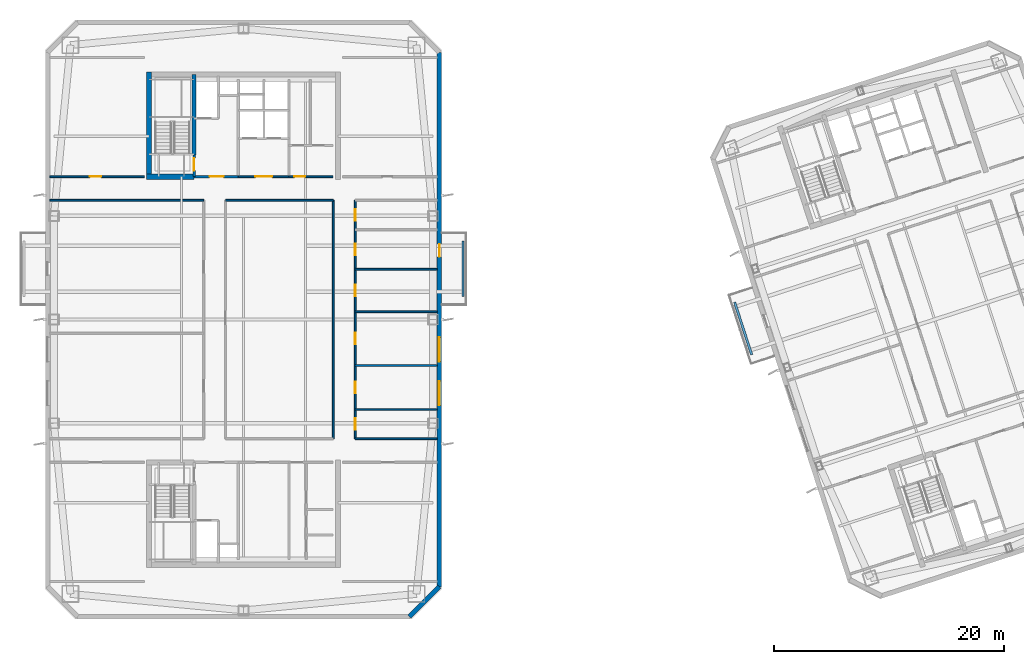
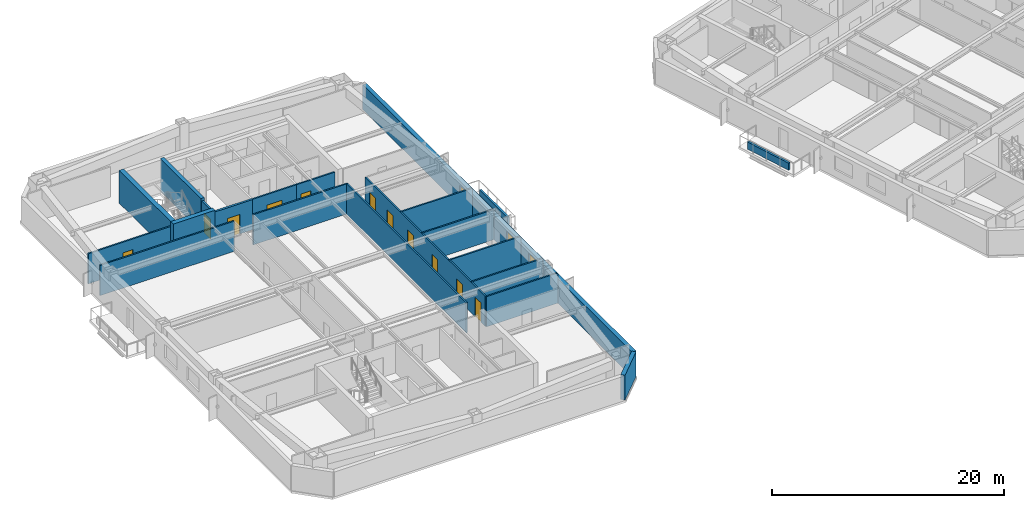
# One storey, part 6 of 17: 21 walls, 12 doors, 2 windows, 14 openings.
"""IFC4 building model written with IfcOpenShell, lengths in metres."""

from ifc_helpers import new_model, si_unit, direction, frame, frame_2d, origin, place, context, subcontext, project, spatial, rectangle, extrude, material, layer, layer_set, type_object, element, fill, save


model = new_model("IFC4")

# Units and contexts
model_context = context("Model", 3, precision=1e-05, world=origin(), true_north=direction((0.0, 1.0)))
body_context = subcontext(model_context, "Body", "Model", "MODEL_VIEW")
ifc_project = project(units=[si_unit("LENGTHUNIT", "METRE"), si_unit("AREAUNIT", "SQUARE_METRE"), si_unit("VOLUMEUNIT", "CUBIC_METRE"), si_unit("PLANEANGLEUNIT", "RADIAN"), si_unit("MASSUNIT", "GRAM", prefix="KILO")], contexts=[model_context])

# Site, building, storey
site_placement = place(None, origin())
site = spatial("IfcSite", under=ifc_project, at=site_placement, CompositionType="ELEMENT")
building_placement = place(site_placement, origin())
building = spatial("IfcBuilding", under=site, at=building_placement, Name="Qiaolan Cultural Towers", CompositionType="ELEMENT")
storey_placement = place(building_placement, frame((0.0, 0.0, 205.85009765625)))
storey = spatial("IfcBuildingStorey", under=building, at=storey_placement, Name="L55", CompositionType="ELEMENT", Elevation=205.85009765625)

# Walls
ifc_material_1 = material(Name="Concrete C50", Category="concrete")
ifc_layer_1 = layer(ifc_material_1, 0.35009765625)
ifc_layer_set_1 = layer_set([ifc_layer_1], Name="Concrete C50")
wall_type_1 = type_object("IfcWallType", Name="WL-CORE-350", PredefinedType="SHEAR", material=ifc_layer_set_1)
wall_1_placement = place(storey_placement, frame((25.719970703125, 48.300048828125, 0.0), z_axis=(0.0, 0.0, 1.0), x_axis=(0.0, 1.0, 0.0)))
element("IfcWall", 1, at=wall_1_placement, inside=storey, type_object=wall_type_1, Name="L55 T1-CN Stair Core Dividing Web", PredefinedType="SHEAR", context=body_context, shape_type="SweptSolid", body=[
    extrude(rectangle(XDim=6.97998046875, YDim=0.35009765625, at=frame_2d((3.489990234375, 0.0))), origin(), (0.0, 0.0, 1.0), 3.449951171875),
])
ifc_material_2 = material(Name="Concrete C50", Category="concrete")
ifc_layer_2 = layer(ifc_material_2, 0.449951171875)
ifc_layer_set_2 = layer_set([ifc_layer_2], Name="Concrete C50")
wall_type_2 = type_object("IfcWallType", Name="WL-CORE-450", PredefinedType="SHEAR", material=ifc_layer_set_2)
wall_2_placement = place(storey_placement, frame((21.800048828125, 46.175048828125, 0.0), z_axis=(0.0, 0.0, 1.0), x_axis=(0.0, 1.0, 0.0)))
element("IfcWall", 2, at=wall_2_placement, inside=storey, type_object=wall_type_2, Name="L55 T1-CN West Core Shear Wall", PredefinedType="SHEAR", context=body_context, shape_type="SweptSolid", body=[
    extrude(rectangle(XDim=9.329833984375, YDim=0.449951171875, at=frame_2d((4.6650390625, 0.0))), origin(), (0.0, 0.0, 1.0), 3.449951171875),
])
wall_3_placement = place(storey_placement, frame((21.574951171875, 46.39990234375, 0.0), z_axis=(0.0, 0.0, 1.0), x_axis=(1.0, 0.0, 0.0)))
element("IfcWall", 3, at=wall_3_placement, inside=storey, type_object=wall_type_2, Name="L55 T1-CN Stair Front Shear Wall", PredefinedType="SHEAR", context=body_context, shape_type="SweptSolid", body=[
    extrude(rectangle(XDim=4.14501953125, YDim=0.449951171875, at=frame_2d((2.072509765625, 0.0))), origin(), (0.0, 0.0, 1.0), 3.449951171875),
])

# Wall, openings, door, windows
ifc_material_3 = material(Name="Precast Concrete C50 Honed Stone Pier", Category="masonry")
ifc_layer_3 = layer(ifc_material_3, 0.39990234375)
ifc_layer_set_3 = layer_set([ifc_layer_3], Name="Precast Concrete C50 Honed Stone Pier")
wall_type_3 = type_object("IfcWallType", Name="WL-EXT-PIER-400", PredefinedType="SOLIDWALL", material=ifc_layer_set_3)
wall_4_placement = place(storey_placement, frame((47.0, 57.199951171875, 0.0), z_axis=(0.0, 0.0, 1.0), x_axis=(0.0, -1.0, 0.0)))
wall_4 = element("IfcWall", 4, at=wall_4_placement, inside=storey, type_object=wall_type_3, Name="L55 West Tower Precast Pier Facade Wall F5", PredefinedType="SOLIDWALL", context=body_context, shape_type="SweptSolid", body=[
    extrude(rectangle(XDim=46.39990234375, YDim=0.39990234375, at=frame_2d((23.199951171875, 0.0))), origin(), (0.0, 0.0, 1.0), 2.60986328125),
])
opening_1_placement = place(wall_4_placement, frame((28.550048828125, 0.0, 0.75)))
opening_1 = element("IfcOpeningElement", 5, at=opening_1_placement, cuts=wall_4, Name="Opening W-05", PredefinedType="OPENING", context=body_context, shape_type="SweptSolid", body=[
    extrude(rectangle(XDim=2.10009765625, YDim=1.4599609375, at=frame_2d((1.050048828125, 0.72998046875))), frame((0.0, 0.2099609375, 0.0), z_axis=(0.0, -1.0, 0.0), x_axis=(1.0, 0.0, 0.0)), (0.0, 0.0, 1.0), 0.419921875),
])
opening_2_placement = place(wall_4_placement, frame((24.75, 0.0, 0.75)))
opening_2 = element("IfcOpeningElement", 6, at=opening_2_placement, cuts=wall_4, Name="Opening W-05", PredefinedType="OPENING", context=body_context, shape_type="SweptSolid", body=[
    extrude(rectangle(XDim=2.10009765625, YDim=1.4599609375, at=frame_2d((1.050048828125, 0.72998046875))), frame((0.0, 0.2099609375, 0.0), z_axis=(0.0, -1.0, 0.0), x_axis=(1.0, 0.0, 0.0)), (0.0, 0.0, 1.0), 0.419921875),
])
opening_3_placement = place(wall_4_placement, frame((16.66748046875, 0.0, 0.0)))
opening_3 = element("IfcOpeningElement", 7, at=opening_3_placement, cuts=wall_4, Name="Opening BD-01", PredefinedType="OPENING", context=body_context, shape_type="SweptSolid", body=[
    extrude(rectangle(XDim=1.10009765625, YDim=2.14990234375, at=frame_2d((0.550048828125, 1.074951171875))), frame((0.0, 0.2099609375, 0.0), z_axis=(0.0, -1.0, 0.0), x_axis=(1.0, 0.0, 0.0)), (0.0, 0.0, 1.0), 0.419921875),
])
ifc_material_4 = material(Name="Thermally Broken Aluminium Glazed Terrace Door", Category="aluminium")
door_type_1 = type_object("IfcDoorType", Name="DR-BAL-1100", OperationType="NOTDEFINED", PredefinedType="DOOR", material=ifc_material_4)
door_1_placement = place(opening_3_placement, origin())
door_1 = element("IfcDoor", 8, at=door_1_placement, inside=storey, type_object=door_type_1, Name="L55 T1 East Tree Balcony Door", OperationType="SINGLE_SWING_RIGHT", OverallHeight=2.14990234375, OverallWidth=1.10009765625, PredefinedType="DOOR", context=body_context, shape_type="SweptSolid", body=[
    extrude(rectangle(XDim=1.10009765625, YDim=2.14990234375, at=frame_2d((0.550048828125, 1.074951171875))), frame((0.0, 0.02490234375, 0.0), z_axis=(0.0, -1.0, 0.0), x_axis=(1.0, 0.0, 0.0)), (0.0, 0.0, 1.0), 0.050048828125),
])
fill(opening_3, door_1)
ifc_material_5 = material(Name="Thermally Broken Aluminium Triple Low-E Glazing", Category="aluminium")
window_type = type_object("IfcWindowType", Name="WN-CHIC-2100", PartitioningType="SINGLE_PANEL", PredefinedType="WINDOW", material=ifc_material_5)
window_1_placement = place(opening_1_placement, origin())
window_1 = element("IfcWindow", 9, at=window_1_placement, inside=storey, type_object=window_type, Name="L55 T1 E Chicago Bay Window 1", OverallHeight=1.4599609375, OverallWidth=2.10009765625, PartitioningType="TRIPLE_PANEL_VERTICAL", PredefinedType="WINDOW", context=body_context, shape_type="SweptSolid", body=[
    extrude(rectangle(XDim=2.10009765625, YDim=1.4599609375, at=frame_2d((1.050048828125, 0.72998046875))), frame((0.0, 0.030029296875, 0.0), z_axis=(0.0, -1.0, 0.0), x_axis=(1.0, 0.0, 0.0)), (0.0, 0.0, 1.0), 0.06005859375),
])
fill(opening_1, window_1)
window_2_placement = place(opening_2_placement, origin())
window_2 = element("IfcWindow", 10, at=window_2_placement, inside=storey, type_object=window_type, Name="L55 T1 E Chicago Bay Window 2", OverallHeight=1.4599609375, OverallWidth=2.10009765625, PartitioningType="TRIPLE_PANEL_VERTICAL", PredefinedType="WINDOW", context=body_context, shape_type="SweptSolid", body=[
    extrude(rectangle(XDim=2.10009765625, YDim=1.4599609375, at=frame_2d((1.050048828125, 0.72998046875))), frame((0.0, 0.030029296875, 0.0), z_axis=(0.0, -1.0, 0.0), x_axis=(1.0, 0.0, 0.0)), (0.0, 0.0, 1.0), 0.06005859375),
])
fill(opening_2, window_2)

# Wall
wall_5_placement = place(storey_placement, frame((47.0, 10.800048828125, 0.0), z_axis=(0.0, 0.0, 1.0), x_axis=(-0.707106781187, -0.707106781187, 0.0)))
element("IfcWall", 11, at=wall_5_placement, inside=storey, type_object=wall_type_3, Name="L55 West Tower Precast Pier Facade Wall F6", PredefinedType="SOLIDWALL", context=body_context, shape_type="SweptSolid", body=[
    extrude(rectangle(XDim=3.677001953125, YDim=0.39990234375, at=frame_2d((1.83837890625, 0.0))), origin(), (0.0, 0.0, 1.0), 2.60986328125),
])

# Wall, opening, door
ifc_material_6 = material(Name="Concrete C35 Fire Wall", Category="concrete")
ifc_layer_4 = layer(ifc_material_6, 0.199951171875)
ifc_layer_set_4 = layer_set([ifc_layer_4], Name="Concrete C35 Fire Wall")
wall_type_4 = type_object("IfcWallType", Name="WL-FIRE-200", PredefinedType="PARTITIONING", material=ifc_layer_set_4)
wall_6_placement = place(storey_placement, frame((25.719970703125, 46.39990234375, 0.0), z_axis=(0.0, 0.0, 1.0), x_axis=(0.0, 1.0, 0.0)))
wall_6 = element("IfcWall", 12, at=wall_6_placement, inside=storey, type_object=wall_type_4, Name="L55 T1-CN Smokeproof Stair Entry Wall", PredefinedType="PARTITIONING", context=body_context, shape_type="SweptSolid", body=[
    extrude(rectangle(XDim=1.900146484375, YDim=0.199951171875, at=frame_2d((0.9501953125, 0.0))), origin(), (0.0, 0.0, 1.0), 3.1748046875),
])
opening_4_placement = place(wall_6_placement, frame((0.52001953125, 0.0, 0.0)))
opening_4 = element("IfcOpeningElement", 13, at=opening_4_placement, cuts=wall_6, Name="Opening FD-04", PredefinedType="OPENING", context=body_context, shape_type="SweptSolid", body=[
    extrude(rectangle(XDim=1.10009765625, YDim=2.050048828125, at=frame_2d((0.550048828125, 1.02490234375))), frame((0.0, 0.10986328125, 0.0), z_axis=(0.0, -1.0, 0.0), x_axis=(1.0, 0.0, 0.0)), (0.0, 0.0, 1.0), 0.219970703125),
])
ifc_material_7 = material(Name="Galvanized Steel Command Fire Door", Category="steel")
door_type_2 = type_object("IfcDoorType", Name="DR-FD90-1100", OperationType="NOTDEFINED", PredefinedType="DOOR", material=ifc_material_7)
door_2_placement = place(opening_4_placement, origin())
door_2 = element("IfcDoor", 14, at=door_2_placement, inside=storey, type_object=door_type_2, Name="L55 ST-W2 Smokeproof Stair Fire Door", OperationType="SINGLE_SWING_LEFT", OverallHeight=2.050048828125, OverallWidth=1.10009765625, PredefinedType="DOOR", context=body_context, shape_type="SweptSolid", body=[
    extrude(rectangle(XDim=1.10009765625, YDim=2.050048828125, at=frame_2d((0.550048828125, 1.02490234375))), frame((0.0, 0.02490234375, 0.0), z_axis=(0.0, -1.0, 0.0), x_axis=(1.0, 0.0, 0.0)), (0.0, 0.0, 1.0), 0.050048828125),
])
fill(opening_4, door_2)

wall_7_placement = place(storey_placement, frame((25.719970703125, 46.39990234375, 0.0), z_axis=(0.0, 0.0, 1.0), x_axis=(1.0, 0.0, 0.0)))
wall_7 = element("IfcWall", 15, at=wall_7_placement, inside=storey, type_object=wall_type_4, Name="L55 T1-CN Firefighting Lobby Front Wall", PredefinedType="PARTITIONING", context=body_context, shape_type="SweptSolid", body=[
    extrude(rectangle(XDim=3.830078125, YDim=0.199951171875, at=frame_2d((1.9150390625, 0.0))), origin(), (0.0, 0.0, 1.0), 3.1748046875),
])
opening_5_placement = place(wall_7_placement, frame((1.35009765625, 0.0, 0.0)))
opening_5 = element("IfcOpeningElement", 16, at=opening_5_placement, cuts=wall_7, Name="Opening FD-03", PredefinedType="OPENING", context=body_context, shape_type="SweptSolid", body=[
    extrude(rectangle(XDim=1.199951171875, YDim=2.050048828125, at=frame_2d((0.60009765625, 1.02490234375))), frame((0.0, 0.10986328125, 0.0), z_axis=(0.0, -1.0, 0.0), x_axis=(1.0, 0.0, 0.0)), (0.0, 0.0, 1.0), 0.219970703125),
])
ifc_material_8 = material(Name="Galvanized Steel Smokeproof Lobby Fire Door", Category="steel")
door_type_3 = type_object("IfcDoorType", Name="DR-FD90-1200", OperationType="NOTDEFINED", PredefinedType="DOOR", material=ifc_material_8)
door_3_placement = place(opening_5_placement, origin())
door_3 = element("IfcDoor", 17, at=door_3_placement, inside=storey, type_object=door_type_3, Name="L55 FFL-W2 Firefighting Lobby Fire Door", OperationType="SINGLE_SWING_LEFT", OverallHeight=2.050048828125, OverallWidth=1.199951171875, PredefinedType="DOOR", context=body_context, shape_type="SweptSolid", body=[
    extrude(rectangle(XDim=1.199951171875, YDim=2.050048828125, at=frame_2d((0.60009765625, 1.02490234375))), frame((0.0, 0.02490234375, 0.0), z_axis=(0.0, -1.0, 0.0), x_axis=(1.0, 0.0, 0.0)), (0.0, 0.0, 1.0), 0.050048828125),
])
fill(opening_5, door_3)

ifc_material_9 = material(Name="Autoclaved Aerated Concrete Block B06", Category="concrete")
ifc_layer_5 = layer(ifc_material_9, 0.14990234375)
ifc_layer_set_5 = layer_set([ifc_layer_5], Name="Autoclaved Aerated Concrete Block B06")
wall_type_5 = type_object("IfcWallType", Name="WL-PART-150", PredefinedType="PARTITIONING", material=ifc_layer_set_5)
wall_8_placement = place(storey_placement, frame((29.550048828125, 46.39990234375, 0.0), z_axis=(0.0, 0.0, 1.0), x_axis=(1.0, 0.0, 0.0)))
wall_8 = element("IfcWall", 18, at=wall_8_placement, inside=storey, type_object=wall_type_5, Name="L55 T1-CN Passenger Lift Lobby Front Wall", PredefinedType="PARTITIONING", context=body_context, shape_type="SweptSolid", body=[
    extrude(rectangle(XDim=4.39990234375, YDim=0.14990234375, at=frame_2d((2.199951171875, 0.0))), origin(), (0.0, 0.0, 1.0), 3.1748046875),
])
opening_6_placement = place(wall_8_placement, frame((1.449951171875, 0.0, 0.0)))
opening_6 = element("IfcOpeningElement", 19, at=opening_6_placement, cuts=wall_8, Name="Opening FD-05", PredefinedType="OPENING", context=body_context, shape_type="SweptSolid", body=[
    extrude(rectangle(XDim=1.5, YDim=2.050048828125, at=frame_2d((0.75, 1.02490234375))), frame((0.0, 0.0849609375, 0.0), z_axis=(0.0, -1.0, 0.0), x_axis=(1.0, 0.0, 0.0)), (0.0, 0.0, 1.0), 0.169921875),
])
ifc_material_10 = material(Name="Painted Steel Lift Lobby Fire Door", Category="steel")
door_type_4 = type_object("IfcDoorType", Name="DR-FD60-1500", OperationType="NOTDEFINED", PredefinedType="DOOR", material=ifc_material_10)
door_4_placement = place(opening_6_placement, origin())
door_4 = element("IfcDoor", 20, at=door_4_placement, inside=storey, type_object=door_type_4, Name="L55 Passenger Lift Lobby Entrance", OperationType="SINGLE_SWING_LEFT", OverallHeight=2.050048828125, OverallWidth=1.5, PredefinedType="DOOR", context=body_context, shape_type="SweptSolid", body=[
    extrude(rectangle(XDim=1.5, YDim=2.050048828125, at=frame_2d((0.75, 1.02490234375))), frame((0.0, 0.02490234375, 0.0), z_axis=(0.0, -1.0, 0.0), x_axis=(1.0, 0.0, 0.0)), (0.0, 0.0, 1.0), 0.050048828125),
])
fill(opening_6, door_4)

wall_9_placement = place(storey_placement, frame((33.949951171875, 46.39990234375, 0.0), z_axis=(0.0, 0.0, 1.0), x_axis=(1.0, 0.0, 0.0)))
wall_9 = element("IfcWall", 21, at=wall_9_placement, inside=storey, type_object=wall_type_5, Name="L55 T1-CN Sanitary Core Front Wall", PredefinedType="PARTITIONING", context=body_context, shape_type="SweptSolid", body=[
    extrude(rectangle(XDim=3.800048828125, YDim=0.14990234375, at=frame_2d((1.89990234375, 0.0))), origin(), (0.0, 0.0, 1.0), 3.1748046875),
])
opening_7_placement = place(wall_9_placement, frame((0.449951171875, 0.0, 0.0)))
opening_7 = element("IfcOpeningElement", 22, at=opening_7_placement, cuts=wall_9, Name="Opening ID-05", PredefinedType="OPENING", context=body_context, shape_type="SweptSolid", body=[
    extrude(rectangle(XDim=0.949951171875, YDim=2.050048828125, at=frame_2d((0.47509765625, 1.02490234375))), frame((0.0, 0.0849609375, 0.0), z_axis=(0.0, -1.0, 0.0), x_axis=(1.0, 0.0, 0.0)), (0.0, 0.0, 1.0), 0.169921875),
])
ifc_material_11 = material(Name="Fire-Rated Laminate Accessible Core Door", Category="timber")
door_type_5 = type_object("IfcDoorType", Name="DR-INT-950", OperationType="NOTDEFINED", PredefinedType="DOOR", material=ifc_material_11)
door_5_placement = place(opening_7_placement, origin())
door_5 = element("IfcDoor", 23, at=door_5_placement, inside=storey, type_object=door_type_5, Name="L55 Sanitary Vestibule Door", OperationType="SINGLE_SWING_LEFT", OverallHeight=2.050048828125, OverallWidth=0.949951171875, PredefinedType="DOOR", context=body_context, shape_type="SweptSolid", body=[
    extrude(rectangle(XDim=0.949951171875, YDim=2.050048828125, at=frame_2d((0.47509765625, 1.02490234375))), frame((0.0, 0.02490234375, 0.0), z_axis=(0.0, -1.0, 0.0), x_axis=(1.0, 0.0, 0.0)), (0.0, 0.0, 1.0), 0.050048828125),
])
fill(opening_7, door_5)

wall_10_placement = place(storey_placement, frame((13.199951171875, 46.39990234375, 0.0), z_axis=(0.0, 0.0, 1.0), x_axis=(1.0, 0.0, 0.0)))
wall_10 = element("IfcWall", 24, at=wall_10_placement, inside=storey, type_object=wall_type_5, Name="L55 T1 Flank Front FLK-NW", PredefinedType="PARTITIONING", context=body_context, shape_type="SweptSolid", body=[
    extrude(rectangle(XDim=8.199951171875, YDim=0.14990234375, at=frame_2d((4.10009765625, 0.0))), origin(), (0.0, 0.0, 1.0), 3.1748046875),
])
opening_8_placement = place(wall_10_placement, frame((3.444091796875, 0.0, 0.0)))
opening_8 = element("IfcOpeningElement", 25, at=opening_8_placement, cuts=wall_10, Name="Opening ID-04", PredefinedType="OPENING", context=body_context, shape_type="SweptSolid", body=[
    extrude(rectangle(XDim=1.0, YDim=2.050048828125, at=frame_2d((0.5, 1.02490234375))), frame((0.0, 0.0849609375, 0.0), z_axis=(0.0, -1.0, 0.0), x_axis=(1.0, 0.0, 0.0)), (0.0, 0.0, 1.0), 0.169921875),
])
ifc_material_12 = material(Name="Oak Veneer Acoustic Office Door", Category="timber")
door_type_6 = type_object("IfcDoorType", Name="DR-INT-1000", OperationType="NOTDEFINED", PredefinedType="DOOR", material=ifc_material_12)
door_6_placement = place(opening_8_placement, origin())
door_6 = element("IfcDoor", 26, at=door_6_placement, inside=storey, type_object=door_type_6, Name="L55 T1 Corner Studio Door", OperationType="SINGLE_SWING_LEFT", OverallHeight=2.050048828125, OverallWidth=1.0, PredefinedType="DOOR", context=body_context, shape_type="SweptSolid", body=[
    extrude(rectangle(XDim=1.0, YDim=2.050048828125, at=frame_2d((0.5, 1.02490234375))), frame((0.0, 0.02490234375, 0.0), z_axis=(0.0, -1.0, 0.0), x_axis=(1.0, 0.0, 0.0)), (0.0, 0.0, 1.0), 0.050048828125),
])
fill(opening_8, door_6)

# Walls
wall_11_placement = place(storey_placement, frame((39.699951171875, 23.64990234375, 0.0), z_axis=(0.0, 0.0, 1.0), x_axis=(1.0, 0.0, 0.0)))
element("IfcWall", 27, at=wall_11_placement, inside=storey, type_object=wall_type_5, Name="L55 T1 Interior Wall", PredefinedType="PARTITIONING", context=body_context, shape_type="SweptSolid", body=[
    extrude(rectangle(XDim=7.10009765625, YDim=0.14990234375, at=frame_2d((3.550048828125, 0.0))), origin(), (0.0, 0.0, 1.0), 3.1748046875),
])
wall_12_placement = place(storey_placement, frame((13.199951171875, 44.35009765625, 0.0), z_axis=(0.0, 0.0, 1.0), x_axis=(1.0, 0.0, 0.0)))
element("IfcWall", 28, at=wall_12_placement, inside=storey, type_object=wall_type_5, Name="L55 T1 Interior Wall", PredefinedType="PARTITIONING", context=body_context, shape_type="SweptSolid", body=[
    extrude(rectangle(XDim=13.35009765625, YDim=0.14990234375, at=frame_2d((6.675048828125, 0.0))), origin(), (0.0, 0.0, 1.0), 3.1748046875),
])
wall_13_placement = place(storey_placement, frame((28.449951171875, 44.35009765625, 0.0), z_axis=(0.0, 0.0, 1.0), x_axis=(1.0, 0.0, 0.0)))
element("IfcWall", 29, at=wall_13_placement, inside=storey, type_object=wall_type_5, Name="L55 T1 Interior Wall", PredefinedType="PARTITIONING", context=body_context, shape_type="SweptSolid", body=[
    extrude(rectangle(XDim=9.35009765625, YDim=0.14990234375, at=frame_2d((4.675048828125, 0.0))), origin(), (0.0, 0.0, 1.0), 3.1748046875),
])
wall_14_placement = place(storey_placement, frame((37.800048828125, 23.64990234375, 0.0), z_axis=(0.0, 0.0, 1.0), x_axis=(0.0, 1.0, 0.0)))
element("IfcWall", 30, at=wall_14_placement, inside=storey, type_object=wall_type_5, Name="L55 T1 Interior Wall", PredefinedType="PARTITIONING", context=body_context, shape_type="SweptSolid", body=[
    extrude(rectangle(XDim=20.7001953125, YDim=0.14990234375, at=frame_2d((10.35009765625, 0.0))), origin(), (0.0, 0.0, 1.0), 3.1748046875),
])

# Wall, openings, doors
wall_15_placement = place(storey_placement, frame((39.699951171875, 23.64990234375, 0.0), z_axis=(0.0, 0.0, 1.0), x_axis=(0.0, 1.0, 0.0)))
wall_15 = element("IfcWall", 31, at=wall_15_placement, inside=storey, type_object=wall_type_5, Name="L55 T1 Interior Wall", PredefinedType="PARTITIONING", context=body_context, shape_type="SweptSolid", body=[
    extrude(rectangle(XDim=20.7001953125, YDim=0.14990234375, at=frame_2d((10.35009765625, 0.0))), origin(), (0.0, 0.0, 1.0), 3.1748046875),
])
opening_9_placement = place(wall_15_placement, frame((0.77490234375, 0.0, 0.0)))
opening_9 = element("IfcOpeningElement", 32, at=opening_9_placement, cuts=wall_15, Name="Opening ID-04", PredefinedType="OPENING", context=body_context, shape_type="SweptSolid", body=[
    extrude(rectangle(XDim=1.0, YDim=2.050048828125, at=frame_2d((0.5, 1.02490234375))), frame((0.0, 0.0849609375, 0.0), z_axis=(0.0, -1.0, 0.0), x_axis=(1.0, 0.0, 0.0)), (0.0, 0.0, 1.0), 0.169921875),
])
opening_10_placement = place(wall_15_placement, frame((3.949951171875, 0.0, 0.0)))
opening_10 = element("IfcOpeningElement", 33, at=opening_10_placement, cuts=wall_15, Name="Opening ID-04", PredefinedType="OPENING", context=body_context, shape_type="SweptSolid", body=[
    extrude(rectangle(XDim=1.0, YDim=2.050048828125, at=frame_2d((0.5, 1.02490234375))), frame((0.0, 0.0849609375, 0.0), z_axis=(0.0, -1.0, 0.0), x_axis=(1.0, 0.0, 0.0)), (0.0, 0.0, 1.0), 0.169921875),
])
opening_11_placement = place(wall_15_placement, frame((8.18994140625, 0.0, 0.0)))
opening_11 = element("IfcOpeningElement", 34, at=opening_11_placement, cuts=wall_15, Name="Opening ID-04", PredefinedType="OPENING", context=body_context, shape_type="SweptSolid", body=[
    extrude(rectangle(XDim=1.0, YDim=2.050048828125, at=frame_2d((0.5, 1.02490234375))), frame((0.0, 0.0849609375, 0.0), z_axis=(0.0, -1.0, 0.0), x_axis=(1.0, 0.0, 0.0)), (0.0, 0.0, 1.0), 0.169921875),
])
opening_12_placement = place(wall_15_placement, frame((12.37255859375, 0.0, 0.0)))
opening_12 = element("IfcOpeningElement", 35, at=opening_12_placement, cuts=wall_15, Name="Opening ID-04", PredefinedType="OPENING", context=body_context, shape_type="SweptSolid", body=[
    extrude(rectangle(XDim=1.0, YDim=2.050048828125, at=frame_2d((0.5, 1.02490234375))), frame((0.0, 0.0849609375, 0.0), z_axis=(0.0, -1.0, 0.0), x_axis=(1.0, 0.0, 0.0)), (0.0, 0.0, 1.0), 0.169921875),
])
opening_13_placement = place(wall_15_placement, frame((15.9326171875, 0.0, 0.0)))
opening_13 = element("IfcOpeningElement", 36, at=opening_13_placement, cuts=wall_15, Name="Opening ID-04", PredefinedType="OPENING", context=body_context, shape_type="SweptSolid", body=[
    extrude(rectangle(XDim=1.0, YDim=2.050048828125, at=frame_2d((0.5, 1.02490234375))), frame((0.0, 0.0849609375, 0.0), z_axis=(0.0, -1.0, 0.0), x_axis=(1.0, 0.0, 0.0)), (0.0, 0.0, 1.0), 0.169921875),
])
opening_14_placement = place(wall_15_placement, frame((18.925048828125, 0.0, 0.0)))
opening_14 = element("IfcOpeningElement", 37, at=opening_14_placement, cuts=wall_15, Name="Opening ID-04", PredefinedType="OPENING", context=body_context, shape_type="SweptSolid", body=[
    extrude(rectangle(XDim=1.0, YDim=2.050048828125, at=frame_2d((0.5, 1.02490234375))), frame((0.0, 0.0849609375, 0.0), z_axis=(0.0, -1.0, 0.0), x_axis=(1.0, 0.0, 0.0)), (0.0, 0.0, 1.0), 0.169921875),
])
door_7_placement = place(opening_9_placement, origin())
door_7 = element("IfcDoor", 38, at=door_7_placement, inside=storey, type_object=door_type_6, Name="L55 T1 Cultural Exchange Shop Door", OperationType="SINGLE_SWING_RIGHT", OverallHeight=2.050048828125, OverallWidth=1.0, PredefinedType="DOOR", context=body_context, shape_type="SweptSolid", body=[
    extrude(rectangle(XDim=1.0, YDim=2.050048828125, at=frame_2d((0.5, 1.02490234375))), frame((0.0, 0.02490234375, 0.0), z_axis=(0.0, -1.0, 0.0), x_axis=(1.0, 0.0, 0.0)), (0.0, 0.0, 1.0), 0.050048828125),
])
fill(opening_9, door_7)
door_8_placement = place(opening_10_placement, origin())
door_8 = element("IfcDoor", 39, at=door_8_placement, inside=storey, type_object=door_type_6, Name="L55 T1 Cultural Exchange Shop Door", OperationType="SINGLE_SWING_LEFT", OverallHeight=2.050048828125, OverallWidth=1.0, PredefinedType="DOOR", context=body_context, shape_type="SweptSolid", body=[
    extrude(rectangle(XDim=1.0, YDim=2.050048828125, at=frame_2d((0.5, 1.02490234375))), frame((0.0, 0.02490234375, 0.0), z_axis=(0.0, -1.0, 0.0), x_axis=(1.0, 0.0, 0.0)), (0.0, 0.0, 1.0), 0.050048828125),
])
fill(opening_10, door_8)
door_9_placement = place(opening_11_placement, origin())
door_9 = element("IfcDoor", 40, at=door_9_placement, inside=storey, type_object=door_type_6, Name="L55 T1 Seminar Room Door", OperationType="SINGLE_SWING_RIGHT", OverallHeight=2.050048828125, OverallWidth=1.0, PredefinedType="DOOR", context=body_context, shape_type="SweptSolid", body=[
    extrude(rectangle(XDim=1.0, YDim=2.050048828125, at=frame_2d((0.5, 1.02490234375))), frame((0.0, 0.02490234375, 0.0), z_axis=(0.0, -1.0, 0.0), x_axis=(1.0, 0.0, 0.0)), (0.0, 0.0, 1.0), 0.050048828125),
])
fill(opening_11, door_9)
door_10_placement = place(opening_12_placement, origin())
door_10 = element("IfcDoor", 41, at=door_10_placement, inside=storey, type_object=door_type_6, Name="L55 T1 Seminar Room Door", OperationType="SINGLE_SWING_LEFT", OverallHeight=2.050048828125, OverallWidth=1.0, PredefinedType="DOOR", context=body_context, shape_type="SweptSolid", body=[
    extrude(rectangle(XDim=1.0, YDim=2.050048828125, at=frame_2d((0.5, 1.02490234375))), frame((0.0, 0.02490234375, 0.0), z_axis=(0.0, -1.0, 0.0), x_axis=(1.0, 0.0, 0.0)), (0.0, 0.0, 1.0), 0.050048828125),
])
fill(opening_12, door_10)
door_11_placement = place(opening_13_placement, origin())
door_11 = element("IfcDoor", 42, at=door_11_placement, inside=storey, type_object=door_type_6, Name="L55 T1 Catering Pantry Door", OperationType="SINGLE_SWING_RIGHT", OverallHeight=2.050048828125, OverallWidth=1.0, PredefinedType="DOOR", context=body_context, shape_type="SweptSolid", body=[
    extrude(rectangle(XDim=1.0, YDim=2.050048828125, at=frame_2d((0.5, 1.02490234375))), frame((0.0, 0.02490234375, 0.0), z_axis=(0.0, -1.0, 0.0), x_axis=(1.0, 0.0, 0.0)), (0.0, 0.0, 1.0), 0.050048828125),
])
fill(opening_13, door_11)
door_12_placement = place(opening_14_placement, origin())
door_12 = element("IfcDoor", 43, at=door_12_placement, inside=storey, type_object=door_type_6, Name="L55 T1 Medical Station Door", OperationType="SINGLE_SWING_LEFT", OverallHeight=2.050048828125, OverallWidth=1.0, PredefinedType="DOOR", context=body_context, shape_type="SweptSolid", body=[
    extrude(rectangle(XDim=1.0, YDim=2.050048828125, at=frame_2d((0.5, 1.02490234375))), frame((0.0, 0.02490234375, 0.0), z_axis=(0.0, -1.0, 0.0), x_axis=(1.0, 0.0, 0.0)), (0.0, 0.0, 1.0), 0.050048828125),
])
fill(opening_14, door_12)

# Walls
for number, where, z_axis, x_axis, name in (
    (44, (39.699951171875, 26.199951171875, 0.0), (0.0, 0.0, 1.0), (1.0, 0.0, 0.0), "L55 T1 Interior Wall"),
    (45, (39.699951171875, 30.0, 0.0), (0.0, 0.0, 1.0), (1.0, 0.0, 0.0), "L55 T1 Interior Wall"),
    (46, (39.699951171875, 34.679931640625, 0.0), (0.0, 0.0, 1.0), (1.0, 0.0, 0.0), "L55 T1 Interior Wall"),
    (47, (39.699951171875, 38.364990234375, 0.0), (0.0, 0.0, 1.0), (1.0, 0.0, 0.0), "L55 T1 Interior Wall"),
):
    element("IfcWall", number, at=place(storey_placement, frame(where, z_axis=z_axis, x_axis=x_axis)), inside=storey, type_object=wall_type_5, Name=name, PredefinedType="PARTITIONING", context=body_context, shape_type="SweptSolid", body=[
        extrude(rectangle(XDim=7.10009765625, YDim=0.14990234375, at=frame_2d((3.550048828125, 0.0))), origin(), (0.0, 0.0, 1.0), 3.1748046875),
    ])
ifc_material_13 = material(Name="Precast Concrete C45 Tree Planter Upstand", Category="concrete")
ifc_layer_6 = layer(ifc_material_13, 0.199951171875)
ifc_layer_set_6 = layer_set([ifc_layer_6], Name="Precast Concrete C45 Tree Planter Upstand")
wall_type_6 = type_object("IfcWallType", Name="WL-PLANTER-200", PredefinedType="PARAPET", material=ifc_layer_set_6)
for number, where, z_axis, x_axis, name in (
    (48, (49.050048828125, 36.0, 0.0), (0.0, 0.0, 1.0), (0.0, 1.0, 0.0), "L55 T1 Tree Balcony Soil Planter Box E"),
    (49, (74.117431640625, 30.9423828125, 0.0), (0.0, 0.0, 1.0), (-0.308986014439, 0.951066581729, 0.0), "L55 T2 Tree Balcony Soil Planter Box W"),
):
    element("IfcWall", number, at=place(storey_placement, frame(where, z_axis=z_axis, x_axis=x_axis)), inside=storey, type_object=wall_type_6, Name=name, PredefinedType="PARAPET", context=body_context, shape_type="SweptSolid", body=[
        extrude(rectangle(XDim=4.800048828125, YDim=0.199951171875, at=frame_2d((2.39990234375, 0.0))), origin(), (0.0, 0.0, 1.0), 0.75),
    ])

save(model, "model.ifc")
